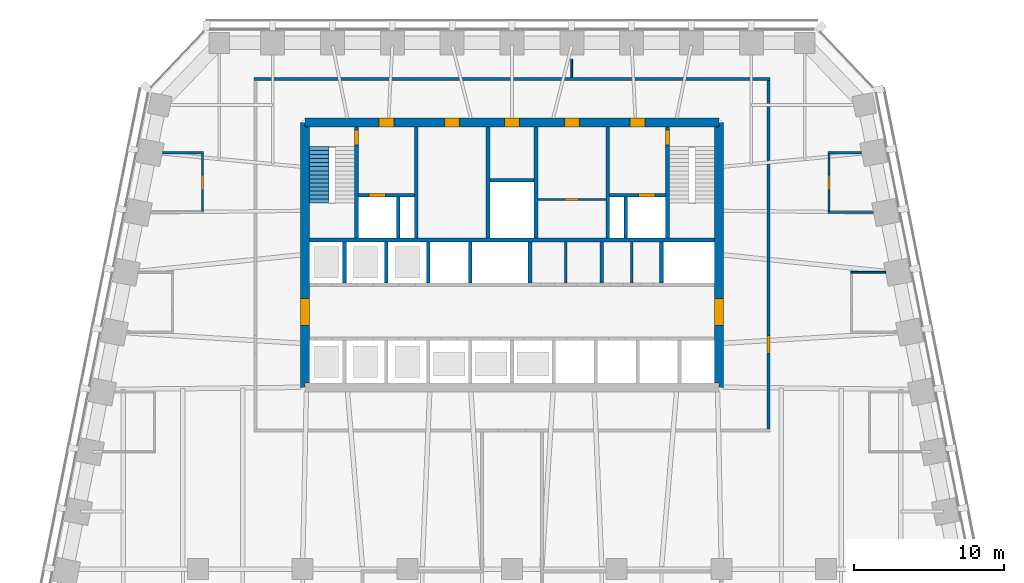
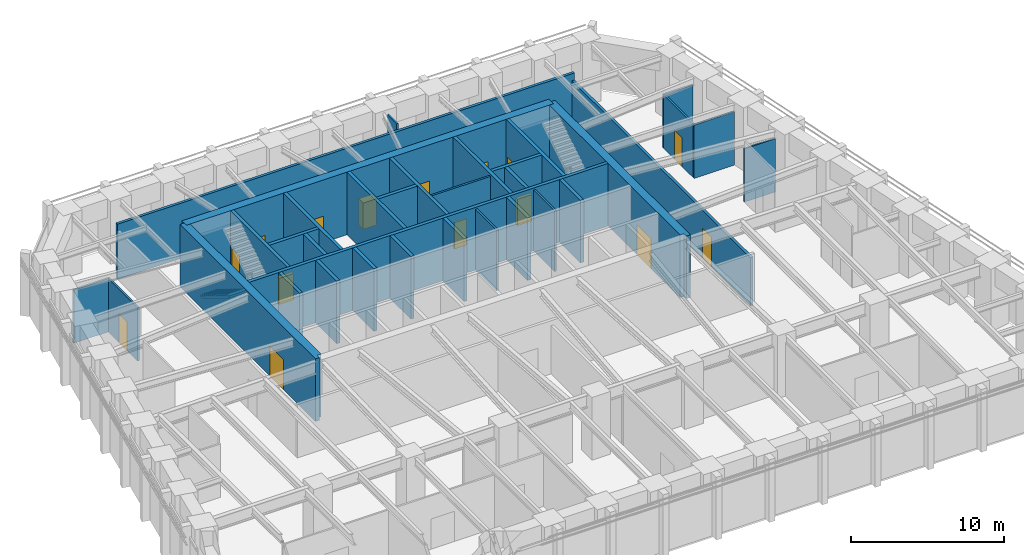
# One storey, part 7 of 11: 34 walls, 15 doors, 1 stair flight, 15 openings, 1 element without a shape of its own.
"""IFC4 building model written with IfcOpenShell, lengths in metres."""

import ifcopenshell
import ifcopenshell.guid

model = None  # the IFC model being written
_history = None  # IfcOwnerHistory: only IFC2X3 demands one
_inside = {}  # id of a spatial element -> (the spatial element, [elements in it])
_under = {}  # id of a project, library or spatial element -> (it, [spatial elements below it])
_declared = {}  # id of a project -> (the project, [libraries it declares])
_typed = {}  # id of a type object -> (the type object, [elements of that type])
_made_of = {}  # id of a material, layer set ... -> (it, [elements and type objects made of it])


def new_model(schema):
    """Start an empty IFC model of exactly this schema.

    Asked for "IFC4X3", IfcOpenShell would pick the latest addendum, in which some entities
    have other attributes; the version numbers below select the first issue.
    IFC2X3 requires an IfcOwnerHistory on every rooted entity: one is made here for all.
    """
    global model, _history
    if schema == "IFC4X3":
        model = ifcopenshell.file(schema_version=(4, 3, 0, 0))
    else:
        model = ifcopenshell.file(schema=schema)
    _inside.clear()
    _under.clear()
    _declared.clear()
    _typed.clear()
    _made_of.clear()
    _history = None
    if model.schema == "IFC2X3":
        org = make("IfcOrganization", Name="unknown")
        user = make(
            "IfcPersonAndOrganization",
            ThePerson=make("IfcPerson", FamilyName="unknown"),
            TheOrganization=org,
        )
        app = make(
            "IfcApplication",
            ApplicationDeveloper=org,
            Version="unknown",
            ApplicationFullName="unknown",
            ApplicationIdentifier="unknown",
        )
        _history = make(
            "IfcOwnerHistory",
            OwningUser=user,
            OwningApplication=app,
            ChangeAction="ADDED",
            CreationDate=0,
        )
    return model


def make(cls, **values):
    """One entity of the class cls with the attributes given. An attribute that is None is left unset."""
    return model.create_entity(
        cls, **{name: value for name, value in values.items() if value is not None}
    )


def rooted(cls, **values):
    """An entity with a GlobalId (a new one), such as an element, a storey or a relation."""
    return make(cls, GlobalId=ifcopenshell.guid.new(), OwnerHistory=_history, **values)


def si_unit(unit_type, name, prefix=None):
    """IfcSIUnit, for example si_unit("LENGTHUNIT", "METRE", prefix="MILLI")."""
    return make("IfcSIUnit", UnitType=unit_type, Prefix=prefix, Name=name)


def assignment(units):
    """IfcUnitAssignment: the units of a project."""
    return None if units is None else make("IfcUnitAssignment", Units=units)


def point(xyz):
    """IfcCartesianPoint."""
    return None if xyz is None else make("IfcCartesianPoint", Coordinates=xyz)


def direction(xyz):
    """IfcDirection."""
    return None if xyz is None else make("IfcDirection", DirectionRatios=xyz)


def frame(location, z_axis=None, x_axis=None):
    """IfcAxis2Placement3D, a coordinate frame: its origin and axes. An axis left out is left unset."""
    return make(
        "IfcAxis2Placement3D",
        Location=point(location),
        Axis=direction(z_axis),
        RefDirection=direction(x_axis),
    )


def frame_2d(location, x_axis=None):
    """IfcAxis2Placement2D, a coordinate frame in the plane: its origin and x axis."""
    return make(
        "IfcAxis2Placement2D", Location=point(location), RefDirection=direction(x_axis)
    )


def origin():
    """The frame at (0, 0, 0) with its axes left unset."""
    return frame((0.0, 0.0, 0.0))


def place(relative_to, where):
    """IfcLocalPlacement: puts the frame where relative to a parent placement (None: the world)."""
    return make(
        "IfcLocalPlacement", PlacementRelTo=relative_to, RelativePlacement=where
    )


def context(
    kind, dimensions, precision=None, world=None, true_north=None, identifier=None
):
    """IfcGeometricRepresentationContext, for example the 3D "Model" context."""
    return make(
        "IfcGeometricRepresentationContext",
        ContextIdentifier=identifier,
        ContextType=kind,
        CoordinateSpaceDimension=dimensions,
        Precision=precision,
        WorldCoordinateSystem=world,
        TrueNorth=true_north,
    )


def subcontext(parent, identifier, kind, view, scale=None):
    """IfcGeometricRepresentationSubContext, for example "Body" below "Model"."""
    return make(
        "IfcGeometricRepresentationSubContext",
        ContextIdentifier=identifier,
        ContextType=kind,
        ParentContext=parent,
        TargetScale=scale,
        TargetView=view,
    )


def project(units=None, contexts=None):
    """IfcProject with its units and contexts."""
    return rooted(
        "IfcProject",
        Name="project",
        RepresentationContexts=contexts,
        UnitsInContext=assignment(units),
    )


def spatial(cls, under=None, at=None, **own):
    """A site, building, storey or space (cls), placed at a placement, below another one or the project."""
    s = rooted(cls, ObjectPlacement=at, **own)
    if under is not None:
        _under.setdefault(under.id(), (under, []))[1].append(s)
    return s


def polyline(points):
    """IfcPolyline through the points."""
    return make("IfcPolyline", Points=[point(p) for p in points])


def profile(cls, at=None, kind="AREA", **sizes):
    """A parametric profile (cls). Its sizes go by their IFC names, for example OverallWidth=200.0."""
    return make(cls, ProfileType=kind, Position=at, **sizes)


def rectangle(**sizes):
    """IfcRectangleProfileDef."""
    return profile("IfcRectangleProfileDef", **sizes)


def outline(outer, holes=None, kind="AREA"):
    """IfcArbitraryClosedProfileDef: a profile drawn as a closed curve; with holes, ...WithVoids."""
    if holes is None:
        return make("IfcArbitraryClosedProfileDef", ProfileType=kind, OuterCurve=outer)
    return make(
        "IfcArbitraryProfileDefWithVoids",
        ProfileType=kind,
        OuterCurve=outer,
        InnerCurves=holes,
    )


def extrude(swept, where, along, depth):
    """IfcExtrudedAreaSolid: the profile swept, set in the frame where, extruded along a direction by depth."""
    return make(
        "IfcExtrudedAreaSolid",
        SweptArea=swept,
        Position=where,
        ExtrudedDirection=direction(along),
        Depth=depth,
    )


def shape(context_of_items, identifier, shape_type, items):
    """IfcShapeRepresentation: the items that make up one representation, for example the "Body"."""
    return make(
        "IfcShapeRepresentation",
        ContextOfItems=context_of_items,
        RepresentationIdentifier=identifier,
        RepresentationType=shape_type,
        Items=items,
    )


def material(Name=None, Category=None):
    """IfcMaterial."""
    return make("IfcMaterial", Name=Name, Category=Category)


def layer(
    of_material, thickness, ventilated=None, Name=None, Category=None, Priority=None
):
    """IfcMaterialLayer: one layer of a wall or slab, of a material (None: an air gap)."""
    return make(
        "IfcMaterialLayer",
        Material=of_material,
        LayerThickness=thickness,
        IsVentilated=ventilated,
        Name=Name,
        Category=Category,
        Priority=Priority,
    )


def layer_set(layers, Name=None):
    """IfcMaterialLayerSet."""
    return make("IfcMaterialLayerSet", MaterialLayers=layers, LayerSetName=Name)


def made_of(thing, what):
    """Note that an element or type object is made of a material, layer set ...; save() writes the relation."""
    if what is not None:
        _made_of.setdefault(what.id(), (what, []))[1].append(thing)
    return thing


def type_object(cls, material=None, **own):
    """A type object (cls), such as IfcWallType, which elements share."""
    return made_of(rooted(cls, **own), material)


def element(
    cls,
    number,
    at=None,
    inside=None,
    cuts=None,
    type_object=None,
    material=None,
    context=None,
    identifier="Body",
    shape_type=None,
    held_by="IfcProductDefinitionShape",
    body=None,
    shapes=None,
    **own,
):
    """One element of the class cls, such as IfcWall. Its Tag is "e" and its number.

    at: its placement. inside: the storey or other place that contains it. cuts: it is an
    opening in that element (IfcRelVoidsElement). A single representation is given by context,
    identifier, shape_type and body (its items); several are given by shapes. held_by: the class
    of the entity that holds the representations. save() writes the other relations.
    """
    e = rooted(cls, Tag="e%d" % number, ObjectPlacement=at, **own)
    if body is not None:
        shapes = [shape(context, identifier, shape_type, body)]
    if shapes is not None:
        e.Representation = make(held_by, Representations=shapes)
    if inside is not None:
        _inside.setdefault(inside.id(), (inside, []))[1].append(e)
    if cuts is not None:
        rooted(
            "IfcRelVoidsElement", RelatingBuildingElement=cuts, RelatedOpeningElement=e
        )
    if type_object is not None:
        _typed.setdefault(type_object.id(), (type_object, []))[1].append(e)
    return made_of(e, material)


def fill(opening, filler):
    """IfcRelFillsElement: the door or window that sits in an opening."""
    return rooted(
        "IfcRelFillsElement",
        RelatingOpeningElement=opening,
        RelatedBuildingElement=filler,
    )


def aggregate(whole, parts):
    """IfcRelAggregates: a whole, such as a stair, and the parts it consists of."""
    return rooted("IfcRelAggregates", RelatingObject=whole, RelatedObjects=parts)


def save(model, path):
    """Write the relations noted so far, then the file.

    IfcRelAggregates (storeys below a building ...), IfcRelContainedInSpatialStructure (elements
    in a storey), IfcRelDefinesByType, IfcRelAssociatesMaterial and IfcRelDeclares: one each for
    every whole, place, type object, material and project.
    """
    for whole, parts in _under.values():
        aggregate(whole, parts)
    for where, things in _inside.values():
        rooted(
            "IfcRelContainedInSpatialStructure",
            RelatedElements=things,
            RelatingStructure=where,
        )
    for kind, things in _typed.values():
        rooted("IfcRelDefinesByType", RelatedObjects=things, RelatingType=kind)
    for what, things in _made_of.values():
        rooted("IfcRelAssociatesMaterial", RelatedObjects=things, RelatingMaterial=what)
    for by, libraries in _declared.values():
        rooted("IfcRelDeclares", RelatingContext=by, RelatedDefinitions=libraries)
    model.write(path)


model = new_model("IFC4")

# Units and contexts
model_context = context("Model", 3, precision=1e-05, world=origin(), true_north=direction((0.0, 1.0)))
body_context = subcontext(model_context, "Body", "Model", "MODEL_VIEW")
ifc_project = project(units=[si_unit("LENGTHUNIT", "METRE"), si_unit("AREAUNIT", "SQUARE_METRE"), si_unit("VOLUMEUNIT", "CUBIC_METRE"), si_unit("PLANEANGLEUNIT", "RADIAN"), si_unit("MASSUNIT", "GRAM", prefix="KILO")], contexts=[model_context])

# Site, building, storey
site_placement = place(None, origin())
site = spatial("IfcSite", under=ifc_project, at=site_placement, CompositionType="ELEMENT")
building_placement = place(site_placement, origin())
building = spatial("IfcBuilding", under=site, at=building_placement, Name="Isbrekke Arena Tower", CompositionType="ELEMENT")
storey_placement = place(building_placement, frame((0.0, 0.0, 173.0)))
storey = spatial("IfcBuildingStorey", under=building, at=storey_placement, Name="L39", CompositionType="ELEMENT", Elevation=173.0)

# Wall, opening, door
ifc_material_1 = material(Name="Concrete B55 (C55/67)", Category="concrete")
ifc_layer_1 = layer(ifc_material_1, 0.60009765625)
ifc_layer_set_1 = layer_set([ifc_layer_1], Name="CW4 CORE WALL 600")
wall_type_1 = type_object("IfcWallType", Name="CW4 CORE WALL 600", PredefinedType="SHEAR", material=ifc_layer_set_1)
wall_1_placement = place(storey_placement, frame((13.85009765625, 6.14990234375, 0.0), z_axis=(0.0, 0.0, 1.0), x_axis=(0.0, 1.0, 0.0)))
wall_1 = element("IfcWall", 1, at=wall_1_placement, inside=storey, type_object=wall_type_1, Name="Core wall E L39", PredefinedType="SHEAR", context=body_context, shape_type="SweptSolid", body=[
    extrude(outline(polyline([(0.0, -0.300048828125), (17.7001953125, -0.300048828125), (17.7001953125, 0.0), (17.400146484375, 0.0), (17.400146484375, 0.300048828125), (0.300048828125, 0.300048828125), (0.300048828125, 0.0), (0.0, 0.0), (0.0, -0.300048828125)])), origin(), (0.0, 0.0, 1.0), 5.0),
])
opening_1_placement = place(wall_1_placement, frame((4.14990234375, 0.0, 0.0)))
opening_1 = element("IfcOpeningElement", 2, at=opening_1_placement, cuts=wall_1, Name="Opening D1", PredefinedType="OPENING", context=body_context, shape_type="SweptSolid", body=[
    extrude(rectangle(XDim=1.800048828125, YDim=2.39990234375, at=frame_2d((0.89990234375, 1.199951171875))), frame((0.0, 0.31494140625, 0.0), z_axis=(0.0, -1.0, 0.0), x_axis=(1.0, 0.0, 0.0)), (0.0, 0.0, 1.0), 0.6298828125),
])
ifc_material_2 = material(Name="Steel-framed glazed fire door", Category="steel")
door_type_1 = type_object("IfcDoorType", Name="D1 CORE LOBBY DOOR 1800 x 2400", OperationType="DOUBLE_DOOR_SINGLE_SWING", PredefinedType="DOOR", material=ifc_material_2)
door_1_placement = place(opening_1_placement, origin())
door_1 = element("IfcDoor", 3, at=door_1_placement, inside=storey, type_object=door_type_1, Name="D1 lift lobby door east L39", OperationType="DOUBLE_DOOR_SINGLE_SWING", OverallHeight=2.39990234375, OverallWidth=1.800048828125, PredefinedType="DOOR", context=body_context, shape_type="SweptSolid", body=[
    extrude(rectangle(XDim=1.800048828125, YDim=2.39990234375, at=frame_2d((0.89990234375, 1.199951171875))), frame((0.0, 0.2998046875, 0.0), z_axis=(0.0, -1.0, 0.0), x_axis=(1.0, 0.0, 0.0)), (0.0, 0.0, 1.0), 0.599609375),
])
fill(opening_1, door_1)

# Wall, openings, doors
wall_2_placement = place(storey_placement, frame((13.85009765625, 23.85009765625, 0.0), z_axis=(0.0, 0.0, 1.0), x_axis=(-1.0, 0.0, 0.0)))
wall_2 = element("IfcWall", 4, at=wall_2_placement, inside=storey, type_object=wall_type_1, Name="Core wall N L39", PredefinedType="SHEAR", context=body_context, shape_type="SweptSolid", body=[
    extrude(rectangle(XDim=27.7001953125, YDim=0.60009765625, at=frame_2d((13.85009765625, 0.0))), origin(), (0.0, 0.0, 1.0), 5.0),
])
opening_2_placement = place(wall_2_placement, frame((21.75, 0.0, 0.0)))
opening_2 = element("IfcOpeningElement", 5, at=opening_2_placement, cuts=wall_2, Name="Opening D3", PredefinedType="OPENING", context=body_context, shape_type="SweptSolid", body=[
    extrude(rectangle(XDim=1.0, YDim=2.10009765625, at=frame_2d((0.5, 1.050048828125))), frame((0.0, 0.31494140625, 0.0), z_axis=(0.0, -1.0, 0.0), x_axis=(1.0, 0.0, 0.0)), (0.0, 0.0, 1.0), 0.6298828125),
])
opening_3_placement = place(wall_2_placement, frame((4.949951171875, 0.0, 0.0)))
opening_3 = element("IfcOpeningElement", 6, at=opening_3_placement, cuts=wall_2, Name="Opening D3", PredefinedType="OPENING", context=body_context, shape_type="SweptSolid", body=[
    extrude(rectangle(XDim=1.0, YDim=2.10009765625, at=frame_2d((0.5, 1.050048828125))), frame((0.0, 0.31494140625, 0.0), z_axis=(0.0, -1.0, 0.0), x_axis=(1.0, 0.0, 0.0)), (0.0, 0.0, 1.0), 0.6298828125),
])
opening_4_placement = place(wall_2_placement, frame((17.35009765625, 0.0, 0.0)))
opening_4 = element("IfcOpeningElement", 7, at=opening_4_placement, cuts=wall_2, Name="Opening D4", PredefinedType="OPENING", context=body_context, shape_type="SweptSolid", body=[
    extrude(rectangle(XDim=1.0, YDim=2.10009765625, at=frame_2d((0.5, 1.050048828125))), frame((0.0, 0.31494140625, 0.0), z_axis=(0.0, -1.0, 0.0), x_axis=(1.0, 0.0, 0.0)), (0.0, 0.0, 1.0), 0.6298828125),
])
opening_5_placement = place(wall_2_placement, frame((13.35009765625, 0.0, 0.0)))
opening_5 = element("IfcOpeningElement", 8, at=opening_5_placement, cuts=wall_2, Name="Opening D4", PredefinedType="OPENING", context=body_context, shape_type="SweptSolid", body=[
    extrude(rectangle(XDim=1.0, YDim=2.10009765625, at=frame_2d((0.5, 1.050048828125))), frame((0.0, 0.31494140625, 0.0), z_axis=(0.0, -1.0, 0.0), x_axis=(1.0, 0.0, 0.0)), (0.0, 0.0, 1.0), 0.6298828125),
])
opening_6_placement = place(wall_2_placement, frame((9.35009765625, 0.0, 0.0)))
opening_6 = element("IfcOpeningElement", 9, at=opening_6_placement, cuts=wall_2, Name="Opening D4", PredefinedType="OPENING", context=body_context, shape_type="SweptSolid", body=[
    extrude(rectangle(XDim=1.0, YDim=2.10009765625, at=frame_2d((0.5, 1.050048828125))), frame((0.0, 0.31494140625, 0.0), z_axis=(0.0, -1.0, 0.0), x_axis=(1.0, 0.0, 0.0)), (0.0, 0.0, 1.0), 0.6298828125),
])
ifc_material_3 = material(Name="Steel fire door", Category="steel")
door_type_2 = type_object("IfcDoorType", Name="D3 FIRE LOBBY DOOR 1000 x 2100", OperationType="SINGLE_SWING_RIGHT", PredefinedType="DOOR", material=ifc_material_3)
door_2_placement = place(opening_2_placement, origin())
door_2 = element("IfcDoor", 10, at=door_2_placement, inside=storey, type_object=door_type_2, Name="D3 fire-fighting lobby door L39", OperationType="SINGLE_SWING_RIGHT", OverallHeight=2.10009765625, OverallWidth=1.0, PredefinedType="DOOR", context=body_context, shape_type="SweptSolid", body=[
    extrude(rectangle(XDim=1.0, YDim=2.10009765625, at=frame_2d((0.5, 1.050048828125))), frame((0.0, 0.2998046875, 0.0), z_axis=(0.0, -1.0, 0.0), x_axis=(1.0, 0.0, 0.0)), (0.0, 0.0, 1.0), 0.599609375),
])
fill(opening_2, door_2)
door_3_placement = place(opening_3_placement, origin())
door_3 = element("IfcDoor", 11, at=door_3_placement, inside=storey, type_object=door_type_2, Name="D3 fire-fighting lobby door L39", OperationType="SINGLE_SWING_RIGHT", OverallHeight=2.10009765625, OverallWidth=1.0, PredefinedType="DOOR", context=body_context, shape_type="SweptSolid", body=[
    extrude(rectangle(XDim=1.0, YDim=2.10009765625, at=frame_2d((0.5, 1.050048828125))), frame((0.0, 0.2998046875, 0.0), z_axis=(0.0, -1.0, 0.0), x_axis=(1.0, 0.0, 0.0)), (0.0, 0.0, 1.0), 0.599609375),
])
fill(opening_3, door_3)
ifc_material_4 = material(Name="Timber door", Category="wood")
door_type_3 = type_object("IfcDoorType", Name="D4 WC DOOR 1000 x 2100", OperationType="SINGLE_SWING_LEFT", PredefinedType="DOOR", material=ifc_material_4)
door_4_placement = place(opening_4_placement, origin())
door_4 = element("IfcDoor", 12, at=door_4_placement, inside=storey, type_object=door_type_3, Name="D4 wc female door L39", OperationType="SINGLE_SWING_LEFT", OverallHeight=2.10009765625, OverallWidth=1.0, PredefinedType="DOOR", context=body_context, shape_type="SweptSolid", body=[
    extrude(rectangle(XDim=1.0, YDim=2.10009765625, at=frame_2d((0.5, 1.050048828125))), frame((0.0, 0.2998046875, 0.0), z_axis=(0.0, -1.0, 0.0), x_axis=(1.0, 0.0, 0.0)), (0.0, 0.0, 1.0), 0.599609375),
])
fill(opening_4, door_4)
door_5_placement = place(opening_5_placement, origin())
door_5 = element("IfcDoor", 13, at=door_5_placement, inside=storey, type_object=door_type_3, Name="D4 accessible wc door L39", OperationType="SINGLE_SWING_LEFT", OverallHeight=2.10009765625, OverallWidth=1.0, PredefinedType="DOOR", context=body_context, shape_type="SweptSolid", body=[
    extrude(rectangle(XDim=1.0, YDim=2.10009765625, at=frame_2d((0.5, 1.050048828125))), frame((0.0, 0.2998046875, 0.0), z_axis=(0.0, -1.0, 0.0), x_axis=(1.0, 0.0, 0.0)), (0.0, 0.0, 1.0), 0.599609375),
])
fill(opening_5, door_5)
door_6_placement = place(opening_6_placement, origin())
door_6 = element("IfcDoor", 14, at=door_6_placement, inside=storey, type_object=door_type_3, Name="D4 wc male door L39", OperationType="SINGLE_SWING_LEFT", OverallHeight=2.10009765625, OverallWidth=1.0, PredefinedType="DOOR", context=body_context, shape_type="SweptSolid", body=[
    extrude(rectangle(XDim=1.0, YDim=2.10009765625, at=frame_2d((0.5, 1.050048828125))), frame((0.0, 0.2998046875, 0.0), z_axis=(0.0, -1.0, 0.0), x_axis=(1.0, 0.0, 0.0)), (0.0, 0.0, 1.0), 0.599609375),
])
fill(opening_6, door_6)

# Wall, opening, door
wall_3_placement = place(storey_placement, frame((-13.85009765625, 23.85009765625, 0.0), z_axis=(0.0, 0.0, 1.0), x_axis=(0.0, -1.0, 0.0)))
wall_3 = element("IfcWall", 15, at=wall_3_placement, inside=storey, type_object=wall_type_1, Name="Core wall W L39", PredefinedType="SHEAR", context=body_context, shape_type="SweptSolid", body=[
    extrude(outline(polyline([(0.0, -0.300048828125), (17.7001953125, -0.300048828125), (17.7001953125, 0.0), (17.400146484375, 0.0), (17.400146484375, 0.300048828125), (0.300048828125, 0.300048828125), (0.300048828125, 0.0), (0.0, 0.0), (0.0, -0.300048828125)])), origin(), (0.0, 0.0, 1.0), 5.0),
])
opening_7_placement = place(wall_3_placement, frame((11.75, 0.0, 0.0)))
opening_7 = element("IfcOpeningElement", 16, at=opening_7_placement, cuts=wall_3, Name="Opening D1", PredefinedType="OPENING", context=body_context, shape_type="SweptSolid", body=[
    extrude(rectangle(XDim=1.800048828125, YDim=2.39990234375, at=frame_2d((0.89990234375, 1.199951171875))), frame((0.0, 0.31494140625, 0.0), z_axis=(0.0, -1.0, 0.0), x_axis=(1.0, 0.0, 0.0)), (0.0, 0.0, 1.0), 0.6298828125),
])
door_7_placement = place(opening_7_placement, origin())
door_7 = element("IfcDoor", 17, at=door_7_placement, inside=storey, type_object=door_type_1, Name="D1 lift lobby door west L39", OperationType="DOUBLE_DOOR_SINGLE_SWING", OverallHeight=2.39990234375, OverallWidth=1.800048828125, PredefinedType="DOOR", context=body_context, shape_type="SweptSolid", body=[
    extrude(rectangle(XDim=1.800048828125, YDim=2.39990234375, at=frame_2d((0.89990234375, 1.199951171875))), frame((0.0, 0.2998046875, 0.0), z_axis=(0.0, -1.0, 0.0), x_axis=(1.0, 0.0, 0.0)), (0.0, 0.0, 1.0), 0.599609375),
])
fill(opening_7, door_7)

# Walls
ifc_material_5 = material(Name="Concrete B45 (C45/55)", Category="concrete")
ifc_layer_2 = layer(ifc_material_5, 0.25)
ifc_layer_set_2 = layer_set([ifc_layer_2], Name="CW6 SHAFT WALL 250")
wall_type_2 = type_object("IfcWallType", Name="CW6 SHAFT WALL 250", PredefinedType="SHEAR", material=ifc_layer_set_2)
wall_4_placement = place(storey_placement, frame((-13.550048828125, 16.0, 0.0), z_axis=(0.0, 0.0, 1.0), x_axis=(1.0, 0.0, 0.0)))
element("IfcWall", 18, at=wall_4_placement, inside=storey, type_object=wall_type_2, Name="Core wall NB L39", PredefinedType="SHEAR", context=body_context, shape_type="SweptSolid", body=[
    extrude(rectangle(XDim=27.10009765625, YDim=0.25, at=frame_2d((13.550048828125, 0.0))), origin(), (0.0, 0.0, 1.0), 5.0),
])
for number, where, z_axis, x_axis, name in (
    (19, (-11.199951171875, 13.125, 0.0), (0.0, 0.0, 1.0), (0.0, 1.0, 0.0), "Core wall SN01 L39"),
    (20, (-8.39990234375, 13.125, 0.0), (0.0, 0.0, 1.0), (0.0, 1.0, 0.0), "Core wall SN02 L39"),
    (21, (-5.60009765625, 13.125, 0.0), (0.0, 0.0, 1.0), (0.0, 1.0, 0.0), "Core wall SN03 L39"),
    (22, (-2.800048828125, 13.125, 0.0), (0.0, 0.0, 1.0), (0.0, 1.0, 0.0), "Core wall SN04 L39"),
    (23, (1.199951171875, 13.125, 0.0), (0.0, 0.0, 1.0), (0.0, 1.0, 0.0), "Core wall SN05 L39"),
    (24, (6.0, 13.125, 0.0), (0.0, 0.0, 1.0), (0.0, 1.0, 0.0), "Core wall SN06 L39"),
    (25, (10.0, 13.125, 0.0), (0.0, 0.0, 1.0), (0.0, 1.0, 0.0), "Core wall SN07 L39"),
):
    element("IfcWall", number, at=place(storey_placement, frame(where, z_axis=z_axis, x_axis=x_axis)), inside=storey, type_object=wall_type_2, Name=name, PredefinedType="SHEAR", context=body_context, shape_type="SweptSolid", body=[
        extrude(rectangle(XDim=2.75, YDim=0.25, at=frame_2d((1.375, 0.0))), origin(), (0.0, 0.0, 1.0), 5.0),
    ])

# Wall, opening, door
wall_5_placement = place(storey_placement, frame((-10.39990234375, 16.125, 0.0), z_axis=(0.0, 0.0, 1.0), x_axis=(0.0, 1.0, 0.0)))
wall_5 = element("IfcWall", 26, at=wall_5_placement, inside=storey, type_object=wall_type_2, Name="Core wall NV01 L39", PredefinedType="SHEAR", context=body_context, shape_type="SweptSolid", body=[
    extrude(rectangle(XDim=7.425048828125, YDim=0.25, at=frame_2d((3.71240234375, 0.0))), origin(), (0.0, 0.0, 1.0), 5.0),
])
opening_8_placement = place(wall_5_placement, frame((6.22509765625, 0.0, 0.0)))
opening_8 = element("IfcOpeningElement", 27, at=opening_8_placement, cuts=wall_5, Name="Opening D2", PredefinedType="OPENING", context=body_context, shape_type="SweptSolid", body=[
    extrude(rectangle(XDim=1.0, YDim=2.10009765625, at=frame_2d((0.5, 1.050048828125))), frame((0.0, 0.139892578125, 0.0), z_axis=(0.0, -1.0, 0.0), x_axis=(1.0, 0.0, 0.0)), (0.0, 0.0, 1.0), 0.27978515625),
])
ifc_material_6 = material(Name="Steel fire door", Category="steel")
door_type_4 = type_object("IfcDoorType", Name="D2 STAIR DOOR 1000 x 2100", OperationType="SINGLE_SWING_LEFT", PredefinedType="DOOR", material=ifc_material_6)
door_8_placement = place(opening_8_placement, origin())
door_8 = element("IfcDoor", 28, at=door_8_placement, inside=storey, type_object=door_type_4, Name="D2 stair door ST1 L39", OperationType="SINGLE_SWING_LEFT", OverallHeight=2.10009765625, OverallWidth=1.0, PredefinedType="DOOR", context=body_context, shape_type="SweptSolid", body=[
    extrude(rectangle(XDim=1.0, YDim=2.10009765625, at=frame_2d((0.5, 1.050048828125))), frame((0.0, 0.124755859375, 0.0), z_axis=(0.0, -1.0, 0.0), x_axis=(1.0, 0.0, 0.0)), (0.0, 0.0, 1.0), 0.24951171875),
])
fill(opening_8, door_8)

# Walls
for number, where, z_axis, x_axis, name in (
    (29, (-6.39990234375, 16.125, 0.0), (0.0, 0.0, 1.0), (0.0, 1.0, 0.0), "Core wall NV02 L39"),
    (30, (-1.60009765625, 16.125, 0.0), (0.0, 0.0, 1.0), (0.0, 1.0, 0.0), "Core wall NV03 L39"),
    (31, (1.60009765625, 16.125, 0.0), (0.0, 0.0, 1.0), (0.0, 1.0, 0.0), "Core wall NV04 L39"),
    (32, (6.39990234375, 16.125, 0.0), (0.0, 0.0, 1.0), (0.0, 1.0, 0.0), "Core wall NV05 L39"),
):
    element("IfcWall", number, at=place(storey_placement, frame(where, z_axis=z_axis, x_axis=x_axis)), inside=storey, type_object=wall_type_2, Name=name, PredefinedType="SHEAR", context=body_context, shape_type="SweptSolid", body=[
        extrude(rectangle(XDim=7.425048828125, YDim=0.25, at=frame_2d((3.71240234375, 0.0))), origin(), (0.0, 0.0, 1.0), 5.0),
    ])

# Wall, opening, door
wall_6_placement = place(storey_placement, frame((10.39990234375, 16.125, 0.0), z_axis=(0.0, 0.0, 1.0), x_axis=(0.0, 1.0, 0.0)))
wall_6 = element("IfcWall", 33, at=wall_6_placement, inside=storey, type_object=wall_type_2, Name="Core wall NV06 L39", PredefinedType="SHEAR", context=body_context, shape_type="SweptSolid", body=[
    extrude(rectangle(XDim=7.425048828125, YDim=0.25, at=frame_2d((3.71240234375, 0.0))), origin(), (0.0, 0.0, 1.0), 5.0),
])
opening_9_placement = place(wall_6_placement, frame((6.22509765625, 0.0, 0.0)))
opening_9 = element("IfcOpeningElement", 34, at=opening_9_placement, cuts=wall_6, Name="Opening D2", PredefinedType="OPENING", context=body_context, shape_type="SweptSolid", body=[
    extrude(rectangle(XDim=1.0, YDim=2.10009765625, at=frame_2d((0.5, 1.050048828125))), frame((0.0, 0.139892578125, 0.0), z_axis=(0.0, -1.0, 0.0), x_axis=(1.0, 0.0, 0.0)), (0.0, 0.0, 1.0), 0.27978515625),
])
door_9_placement = place(opening_9_placement, origin())
door_9 = element("IfcDoor", 35, at=door_9_placement, inside=storey, type_object=door_type_4, Name="D2 stair door ST2 L39", OperationType="SINGLE_SWING_LEFT", OverallHeight=2.10009765625, OverallWidth=1.0, PredefinedType="DOOR", context=body_context, shape_type="SweptSolid", body=[
    extrude(rectangle(XDim=1.0, YDim=2.10009765625, at=frame_2d((0.5, 1.050048828125))), frame((0.0, 0.124755859375, 0.0), z_axis=(0.0, -1.0, 0.0), x_axis=(1.0, 0.0, 0.0)), (0.0, 0.0, 1.0), 0.24951171875),
])
fill(opening_9, door_9)

wall_7_placement = place(storey_placement, frame((-10.27490234375, 19.0, 0.0), z_axis=(0.0, 0.0, 1.0), x_axis=(1.0, 0.0, 0.0)))
wall_7 = element("IfcWall", 36, at=wall_7_placement, inside=storey, type_object=wall_type_2, Name="Core wall NFW L39", PredefinedType="SHEAR", context=body_context, shape_type="SweptSolid", body=[
    extrude(rectangle(XDim=3.75, YDim=0.25, at=frame_2d((1.875, 0.0))), origin(), (0.0, 0.0, 1.0), 5.0),
])
opening_10_placement = place(wall_7_placement, frame((0.72509765625, 0.0, 0.0)))
opening_10 = element("IfcOpeningElement", 37, at=opening_10_placement, cuts=wall_7, Name="Opening LD2", PredefinedType="OPENING", context=body_context, shape_type="SweptSolid", body=[
    extrude(rectangle(XDim=1.10009765625, YDim=2.10009765625, at=frame_2d((0.550048828125, 1.050048828125))), frame((0.0, 0.139892578125, 0.0), z_axis=(0.0, -1.0, 0.0), x_axis=(1.0, 0.0, 0.0)), (0.0, 0.0, 1.0), 0.27978515625),
])
ifc_material_7 = material(Name="Stainless steel lift landing door", Category="steel")
door_type_5 = type_object("IfcDoorType", Name="LD2 FIRE-FIGHTING LIFT LANDING DOOR 1100 x 2100", OperationType="SLIDING_TO_RIGHT", PredefinedType="DOOR", material=ifc_material_7)
door_10_placement = place(opening_10_placement, origin())
door_10 = element("IfcDoor", 38, at=door_10_placement, inside=storey, type_object=door_type_5, Name="LD2 lift landing door LF L39", OperationType="SLIDING_TO_RIGHT", OverallHeight=2.10009765625, OverallWidth=1.10009765625, PredefinedType="DOOR", context=body_context, shape_type="SweptSolid", body=[
    extrude(rectangle(XDim=1.10009765625, YDim=2.10009765625, at=frame_2d((0.550048828125, 1.050048828125))), frame((0.0, 0.124755859375, 0.0), z_axis=(0.0, -1.0, 0.0), x_axis=(1.0, 0.0, 0.0)), (0.0, 0.0, 1.0), 0.24951171875),
])
fill(opening_10, door_10)

wall_8_placement = place(storey_placement, frame((6.52490234375, 19.0, 0.0), z_axis=(0.0, 0.0, 1.0), x_axis=(1.0, 0.0, 0.0)))
wall_8 = element("IfcWall", 39, at=wall_8_placement, inside=storey, type_object=wall_type_2, Name="Core wall NFE L39", PredefinedType="SHEAR", context=body_context, shape_type="SweptSolid", body=[
    extrude(rectangle(XDim=3.75, YDim=0.25, at=frame_2d((1.875, 0.0))), origin(), (0.0, 0.0, 1.0), 5.0),
])
opening_11_placement = place(wall_8_placement, frame((1.925048828125, 0.0, 0.0)))
opening_11 = element("IfcOpeningElement", 40, at=opening_11_placement, cuts=wall_8, Name="Opening LD2", PredefinedType="OPENING", context=body_context, shape_type="SweptSolid", body=[
    extrude(rectangle(XDim=1.10009765625, YDim=2.10009765625, at=frame_2d((0.550048828125, 1.050048828125))), frame((0.0, 0.139892578125, 0.0), z_axis=(0.0, -1.0, 0.0), x_axis=(1.0, 0.0, 0.0)), (0.0, 0.0, 1.0), 0.27978515625),
])
door_11_placement = place(opening_11_placement, origin())
door_11 = element("IfcDoor", 41, at=door_11_placement, inside=storey, type_object=door_type_5, Name="LD2 lift landing door LF L39", OperationType="SLIDING_TO_RIGHT", OverallHeight=2.10009765625, OverallWidth=1.10009765625, PredefinedType="DOOR", context=body_context, shape_type="SweptSolid", body=[
    extrude(rectangle(XDim=1.10009765625, YDim=2.10009765625, at=frame_2d((0.550048828125, 1.050048828125))), frame((0.0, 0.124755859375, 0.0), z_axis=(0.0, -1.0, 0.0), x_axis=(1.0, 0.0, 0.0)), (0.0, 0.0, 1.0), 0.24951171875),
])
fill(opening_11, door_11)

# Walls
for number, where, z_axis, x_axis, name in (
    (42, (-7.60009765625, 16.125, 0.0), (0.0, 0.0, 1.0), (0.0, 1.0, 0.0), "Core wall NFS1 L39"),
    (43, (7.60009765625, 16.125, 0.0), (0.0, 0.0, 1.0), (0.0, 1.0, 0.0), "Core wall NFS2 L39"),
):
    element("IfcWall", number, at=place(storey_placement, frame(where, z_axis=z_axis, x_axis=x_axis)), inside=storey, type_object=wall_type_2, Name=name, PredefinedType="SHEAR", context=body_context, shape_type="SweptSolid", body=[
        extrude(rectangle(XDim=2.75, YDim=0.25, at=frame_2d((1.375, 0.0))), origin(), (0.0, 0.0, 1.0), 5.0),
    ])
wall_9_placement = place(storey_placement, frame((-1.47509765625, 20.0, 0.0), z_axis=(0.0, 0.0, 1.0), x_axis=(1.0, 0.0, 0.0)))
element("IfcWall", 44, at=wall_9_placement, inside=storey, type_object=wall_type_2, Name="Core wall NWC L39", PredefinedType="SHEAR", context=body_context, shape_type="SweptSolid", body=[
    extrude(rectangle(XDim=2.9501953125, YDim=0.25, at=frame_2d((1.47509765625, 0.0))), origin(), (0.0, 0.0, 1.0), 5.0),
])
ifc_material_8 = material(Name="Gypsum board partition on steel studs", Category="steel")
ifc_layer_3 = layer(ifc_material_8, 0.14990234375)
ifc_layer_set_3 = layer_set([ifc_layer_3], Name="IW1 PARTITION 150")
wall_type_3 = type_object("IfcWallType", Name="IW1 PARTITION 150", PredefinedType="PARTITIONING", material=ifc_layer_set_3)
wall_10_placement = place(storey_placement, frame((21.125, 17.840087890625, 0.0), z_axis=(0.0, 0.0, 1.0), x_axis=(1.0, 0.0, 0.0)))
element("IfcWall", 45, at=wall_10_placement, inside=storey, type_object=wall_type_3, Name="IW1 partition 150 L39", PredefinedType="PARTITIONING", context=body_context, shape_type="SweptSolid", body=[
    extrude(rectangle(XDim=3.0498046875, YDim=0.14990234375, at=frame_2d((1.52490234375, 0.0))), origin(), (0.0, 0.0, 1.0), 4.25),
])
wall_11_placement = place(storey_placement, frame((-23.374755859375, 21.840087890625, 0.0), z_axis=(0.0, 0.0, 1.0), x_axis=(1.0, 0.0, 0.0)))
element("IfcWall", 46, at=wall_11_placement, inside=storey, type_object=wall_type_3, Name="IW1 partition 150 L39", PredefinedType="PARTITIONING", context=body_context, shape_type="SweptSolid", body=[
    extrude(rectangle(XDim=2.749755859375, YDim=0.14990234375, at=frame_2d((1.375, 0.0))), origin(), (0.0, 0.0, 1.0), 4.25),
])
wall_12_placement = place(storey_placement, frame((21.125, 21.840087890625, 0.0), z_axis=(0.0, 0.0, 1.0), x_axis=(1.0, 0.0, 0.0)))
element("IfcWall", 47, at=wall_12_placement, inside=storey, type_object=wall_type_3, Name="IW1 partition 150 L39", PredefinedType="PARTITIONING", context=body_context, shape_type="SweptSolid", body=[
    extrude(rectangle(XDim=2.249755859375, YDim=0.14990234375, at=frame_2d((1.125, 0.0))), origin(), (0.0, 0.0, 1.0), 4.25),
])

# Wall, opening, door
wall_13_placement = place(storey_placement, frame((-20.699951171875, 17.9150390625, 0.0), z_axis=(0.0, 0.0, 1.0), x_axis=(0.0, 1.0, 0.0)))
wall_13 = element("IfcWall", 48, at=wall_13_placement, inside=storey, type_object=wall_type_3, Name="IW1 partition 150 L39", PredefinedType="PARTITIONING", context=body_context, shape_type="SweptSolid", body=[
    extrude(rectangle(XDim=3.849853515625, YDim=0.14990234375, at=frame_2d((1.9248046875, 0.0))), origin(), (0.0, 0.0, 1.0), 4.25),
])
opening_12_placement = place(wall_13_placement, frame((1.425048828125, 0.0, 0.0)))
opening_12 = element("IfcOpeningElement", 49, at=opening_12_placement, cuts=wall_13, Name="Opening D10", PredefinedType="OPENING", context=body_context, shape_type="SweptSolid", body=[
    extrude(rectangle(XDim=1.0, YDim=2.300048828125, at=frame_2d((0.5, 1.14990234375))), frame((0.0, 0.08984375, 0.0), z_axis=(0.0, -1.0, 0.0), x_axis=(1.0, 0.0, 0.0)), (0.0, 0.0, 1.0), 0.1796875),
])
ifc_material_9 = material(Name="Timber door", Category="wood")
door_type_6 = type_object("IfcDoorType", Name="D10 OFFICE DOOR 1000 x 2300", OperationType="SINGLE_SWING_LEFT", PredefinedType="DOOR", material=ifc_material_9)
door_12_placement = place(opening_12_placement, origin())
door_12 = element("IfcDoor", 50, at=door_12_placement, inside=storey, type_object=door_type_6, Name="D10 pantry door L39", OperationType="SINGLE_SWING_LEFT", OverallHeight=2.300048828125, OverallWidth=1.0, PredefinedType="DOOR", context=body_context, shape_type="SweptSolid", body=[
    extrude(rectangle(XDim=1.0, YDim=2.300048828125, at=frame_2d((0.5, 1.14990234375))), frame((0.0, 0.07470703125, 0.0), z_axis=(0.0, -1.0, 0.0), x_axis=(1.0, 0.0, 0.0)), (0.0, 0.0, 1.0), 0.1494140625),
])
fill(opening_12, door_12)

wall_14_placement = place(storey_placement, frame((21.199951171875, 17.9150390625, 0.0), z_axis=(0.0, 0.0, 1.0), x_axis=(0.0, 1.0, 0.0)))
wall_14 = element("IfcWall", 51, at=wall_14_placement, inside=storey, type_object=wall_type_3, Name="IW1 partition 150 L39", PredefinedType="PARTITIONING", context=body_context, shape_type="SweptSolid", body=[
    extrude(rectangle(XDim=3.849853515625, YDim=0.14990234375, at=frame_2d((1.9248046875, 0.0))), origin(), (0.0, 0.0, 1.0), 4.25),
])
opening_13_placement = place(wall_14_placement, frame((1.425048828125, 0.0, 0.0)))
opening_13 = element("IfcOpeningElement", 52, at=opening_13_placement, cuts=wall_14, Name="Opening D10", PredefinedType="OPENING", context=body_context, shape_type="SweptSolid", body=[
    extrude(rectangle(XDim=1.0, YDim=2.300048828125, at=frame_2d((0.5, 1.14990234375))), frame((0.0, 0.08984375, 0.0), z_axis=(0.0, -1.0, 0.0), x_axis=(1.0, 0.0, 0.0)), (0.0, 0.0, 1.0), 0.1796875),
])
door_13_placement = place(opening_13_placement, origin())
door_13 = element("IfcDoor", 53, at=door_13_placement, inside=storey, type_object=door_type_6, Name="D10 store door L39", OperationType="SINGLE_SWING_LEFT", OverallHeight=2.300048828125, OverallWidth=1.0, PredefinedType="DOOR", context=body_context, shape_type="SweptSolid", body=[
    extrude(rectangle(XDim=1.0, YDim=2.300048828125, at=frame_2d((0.5, 1.14990234375))), frame((0.0, 0.07470703125, 0.0), z_axis=(0.0, -1.0, 0.0), x_axis=(1.0, 0.0, 0.0)), (0.0, 0.0, 1.0), 0.1494140625),
])
fill(opening_13, door_13)

# Walls
ifc_material_10 = material(Name="Frameless glazed partition, laminated acoustic glass", Category="glass")
ifc_layer_4 = layer(ifc_material_10, 0.1201171875)
ifc_layer_set_4 = layer_set([ifc_layer_4], Name="IW2 GLAZED PARTITION 120")
wall_type_4 = type_object("IfcWallType", Name="IW2 GLAZED PARTITION 120", PredefinedType="PARTITIONING", material=ifc_layer_set_4)
wall_15_placement = place(storey_placement, frame((22.639892578125, 13.840087890625, 0.0), z_axis=(0.0, 0.0, 1.0), x_axis=(1.0, 0.0, 0.0)))
element("IfcWall", 54, at=wall_15_placement, inside=storey, type_object=wall_type_4, Name="IW2 glazed partition 120 L39", PredefinedType="PARTITIONING", context=body_context, shape_type="SweptSolid", body=[
    extrude(rectangle(XDim=2.3349609375, YDim=0.1201171875, at=frame_2d((1.16748046875, 0.0))), origin(), (0.0, 0.0, 1.0), 4.25),
])
wall_16_placement = place(storey_placement, frame((4.0009765625, 26.8701171875, 0.0), z_axis=(0.0, 0.0, 1.0), x_axis=(0.0, 1.0, 0.0)))
element("IfcWall", 55, at=wall_16_placement, inside=storey, type_object=wall_type_4, Name="IW2 glazed partition 120 L39", PredefinedType="PARTITIONING", context=body_context, shape_type="SweptSolid", body=[
    extrude(rectangle(XDim=1.22998046875, YDim=0.1201171875, at=frame_2d((0.614990234375, 0.0))), origin(), (0.0, 0.0, 1.0), 4.85009765625),
])
ifc_material_11 = material(Name="Gypsum board fire-cell wall on steel studs, two layers each side", Category="steel")
ifc_layer_5 = layer(ifc_material_11, 0.199951171875)
ifc_layer_set_5 = layer_set([ifc_layer_5], Name="IW3 FIRE-CELL WALL 200")
wall_type_5 = type_object("IfcWallType", Name="IW3 FIRE-CELL WALL 200", PredefinedType="PARTITIONING", material=ifc_layer_set_5)
wall_17_placement = place(storey_placement, frame((-17.25, 26.75, 0.0), z_axis=(0.0, 0.0, 1.0), x_axis=(1.0, 0.0, 0.0)))
element("IfcWall", 56, at=wall_17_placement, inside=storey, type_object=wall_type_5, Name="IW3 fire-cell wall 200 L39", PredefinedType="PARTITIONING", context=body_context, shape_type="SweptSolid", body=[
    extrude(rectangle(XDim=34.5, YDim=0.199951171875, at=frame_2d((17.25, 0.0))), origin(), (0.0, 0.0, 1.0), 4.39990234375),
])

# Wall, opening, door
wall_18_placement = place(storey_placement, frame((17.14990234375, 3.35009765625, 0.0), z_axis=(0.0, 0.0, 1.0), x_axis=(0.0, 1.0, 0.0)))
wall_18 = element("IfcWall", 57, at=wall_18_placement, inside=storey, type_object=wall_type_5, Name="IW3 fire-cell wall 200 L39", PredefinedType="PARTITIONING", context=body_context, shape_type="SweptSolid", body=[
    extrude(rectangle(XDim=23.2998046875, YDim=0.199951171875, at=frame_2d((11.64990234375, 0.0))), origin(), (0.0, 0.0, 1.0), 3.842041015625),
])
opening_14_placement = place(wall_18_placement, frame((5.050048828125, 0.0, 0.0)))
opening_14 = element("IfcOpeningElement", 58, at=opening_14_placement, cuts=wall_18, Name="Opening D12", PredefinedType="OPENING", context=body_context, shape_type="SweptSolid", body=[
    extrude(rectangle(XDim=1.199951171875, YDim=2.39990234375, at=frame_2d((0.60009765625, 1.199951171875))), frame((0.0, 0.11474609375, 0.0), z_axis=(0.0, -1.0, 0.0), x_axis=(1.0, 0.0, 0.0)), (0.0, 0.0, 1.0), 0.229736328125),
])
ifc_material_12 = material(Name="Timber fire door with vision panel", Category="wood")
door_type_7 = type_object("IfcDoorType", Name="D12 SUITE ENTRANCE DOOR 1200 x 2400", OperationType="SINGLE_SWING_LEFT", PredefinedType="DOOR", material=ifc_material_12)
door_14_placement = place(opening_14_placement, origin())
door_14 = element("IfcDoor", 59, at=door_14_placement, inside=storey, type_object=door_type_7, Name="D12 suite entrance W door L39", OperationType="SINGLE_SWING_LEFT", OverallHeight=2.39990234375, OverallWidth=1.199951171875, PredefinedType="DOOR", context=body_context, shape_type="SweptSolid", body=[
    extrude(rectangle(XDim=1.199951171875, YDim=2.39990234375, at=frame_2d((0.60009765625, 1.199951171875))), frame((0.0, 0.099609375, 0.0), z_axis=(0.0, -1.0, 0.0), x_axis=(1.0, 0.0, 0.0)), (0.0, 0.0, 1.0), 0.199462890625),
])
fill(opening_14, door_14)

ifc_material_13 = material(Name="Gypsum board fire-rated partition on steel studs, two layers each side", Category="steel")
ifc_layer_6 = layer(ifc_material_13, 0.14990234375)
ifc_layer_set_6 = layer_set([ifc_layer_6], Name="IW5 FIRE-RATED PARTITION 150")
wall_type_6 = type_object("IfcWallType", Name="IW5 FIRE-RATED PARTITION 150", PredefinedType="PARTITIONING", material=ifc_layer_set_6)
wall_19_placement = place(storey_placement, frame((1.72509765625, 18.699951171875, 0.0), z_axis=(0.0, 0.0, 1.0), x_axis=(1.0, 0.0, 0.0)))
wall_19 = element("IfcWall", 60, at=wall_19_placement, inside=storey, type_object=wall_type_6, Name="IW5 fire-rated partition L39 cleaner's store M", PredefinedType="PARTITIONING", context=body_context, shape_type="SweptSolid", body=[
    extrude(rectangle(XDim=4.5498046875, YDim=0.14990234375, at=frame_2d((2.27490234375, 0.0))), origin(), (0.0, 0.0, 1.0), 4.85009765625),
])
opening_15_placement = place(wall_19_placement, frame((1.824951171875, 0.0, 0.0)))
opening_15 = element("IfcOpeningElement", 61, at=opening_15_placement, cuts=wall_19, Name="Opening D5", PredefinedType="OPENING", context=body_context, shape_type="SweptSolid", body=[
    extrude(rectangle(XDim=0.89990234375, YDim=2.10009765625, at=frame_2d((0.449951171875, 1.050048828125))), frame((0.0, 0.08984375, 0.0), z_axis=(0.0, -1.0, 0.0), x_axis=(1.0, 0.0, 0.0)), (0.0, 0.0, 1.0), 0.1796875),
])
ifc_material_14 = material(Name="Steel fire door", Category="steel")
door_type_8 = type_object("IfcDoorType", Name="D5 SERVICE DOOR 900 x 2100", OperationType="SINGLE_SWING_LEFT", PredefinedType="DOOR", material=ifc_material_14)
door_15_placement = place(opening_15_placement, origin())
door_15 = element("IfcDoor", 62, at=door_15_placement, inside=storey, type_object=door_type_8, Name="D5 cleaner's store door L39", OperationType="SINGLE_SWING_LEFT", OverallHeight=2.10009765625, OverallWidth=0.89990234375, PredefinedType="DOOR", context=body_context, shape_type="SweptSolid", body=[
    extrude(rectangle(XDim=0.89990234375, YDim=2.10009765625, at=frame_2d((0.449951171875, 1.050048828125))), frame((0.0, 0.07470703125, 0.0), z_axis=(0.0, -1.0, 0.0), x_axis=(1.0, 0.0, 0.0)), (0.0, 0.0, 1.0), 0.1494140625),
])
fill(opening_15, door_15)

# Walls
for number, where, z_axis, x_axis, name in (
    (63, (3.60009765625, 13.125, 0.0), (0.0, 0.0, 1.0), (0.0, 1.0, 0.0), "IW5 fire-rated partition L39 core service rooms 1"),
    (64, (8.0, 13.125, 0.0), (0.0, 0.0, 1.0), (0.0, 1.0, 0.0), "IW5 fire-rated partition L39 core service rooms 2"),
):
    element("IfcWall", number, at=place(storey_placement, frame(where, z_axis=z_axis, x_axis=x_axis)), inside=storey, type_object=wall_type_6, Name=name, PredefinedType="PARTITIONING", context=body_context, shape_type="SweptSolid", body=[
        extrude(rectangle(XDim=2.75, YDim=0.14990234375, at=frame_2d((1.375, 0.0))), origin(), (0.0, 0.0, 1.0), 4.85009765625),
    ])

# Stair, stair flight
ifc_material_15 = material(Name="Concrete B45 (C45/55) precast", Category="concrete")
stair_type = type_object("IfcStairType", Name="ST50 STAIR 1300 WIDE, 30 RISERS 167", PredefinedType="HALF_TURN_STAIR", material=ifc_material_15)
stair_placement = place(storey_placement, origin())
stair = element("IfcStair", 65, at=stair_placement, inside=storey, type_object=stair_type, Name="ST1 stair L39", PredefinedType="HALF_TURN_STAIR")
ifc_material_16 = material(Name="Concrete B45 (C45/55) precast", Category="concrete")
stair_flight_type = type_object("IfcStairFlightType", Name="SF 1300 FLIGHT", PredefinedType="STRAIGHT", material=ifc_material_16)
stair_flight_placement = place(storey_placement, frame((-12.89990234375, 22.25, 0.0), z_axis=(0.0, 0.0, 1.0), x_axis=(0.0, -1.0, 0.0)))
stair_flight = element("IfcStairFlight", 66, at=stair_flight_placement, type_object=stair_flight_type, Name="ST1 flight 1", NumberOfRisers=15, NumberOfTreads=14, PredefinedType="STRAIGHT", RiserHeight=0.166666667, TreadLength=0.27, context=body_context, shape_type="SweptSolid", body=[
    extrude(outline(polyline([(0.0, 0.0), (0.0, 0.166748046875), (0.27001953125, 0.166748046875), (0.27001953125, 0.333251953125), (0.5400390625, 0.333251953125), (0.5400390625, 0.5), (0.81005859375, 0.5), (0.81005859375, 0.666748046875), (1.080078125, 0.666748046875), (1.080078125, 0.833251953125), (1.35009765625, 0.833251953125), (1.35009765625, 1.0), (1.6201171875, 1.0), (1.6201171875, 1.166748046875), (1.889892578125, 1.166748046875), (1.889892578125, 1.333251953125), (2.159912109375, 1.333251953125), (2.159912109375, 1.5), (2.429931640625, 1.5), (2.429931640625, 1.666748046875), (2.699951171875, 1.666748046875), (2.699951171875, 1.833251953125), (2.969970703125, 1.833251953125), (2.969970703125, 2.0), (3.239990234375, 2.0), (3.239990234375, 2.166748046875), (3.510009765625, 2.166748046875), (3.510009765625, 2.333251953125), (3.780029296875, 2.333251953125), (3.780029296875, 2.5), (3.780029296875, 2.1572265625), (0.285400390625, 0.0), (0.0, 0.0)])), frame((0.0, 0.64990234375, 0.0), z_axis=(0.0, -1.0, 0.0), x_axis=(1.0, 0.0, 0.0)), (0.0, 0.0, 1.0), 1.300048828125),
])
aggregate(stair, [stair_flight])

save(model, "model.ifc")
